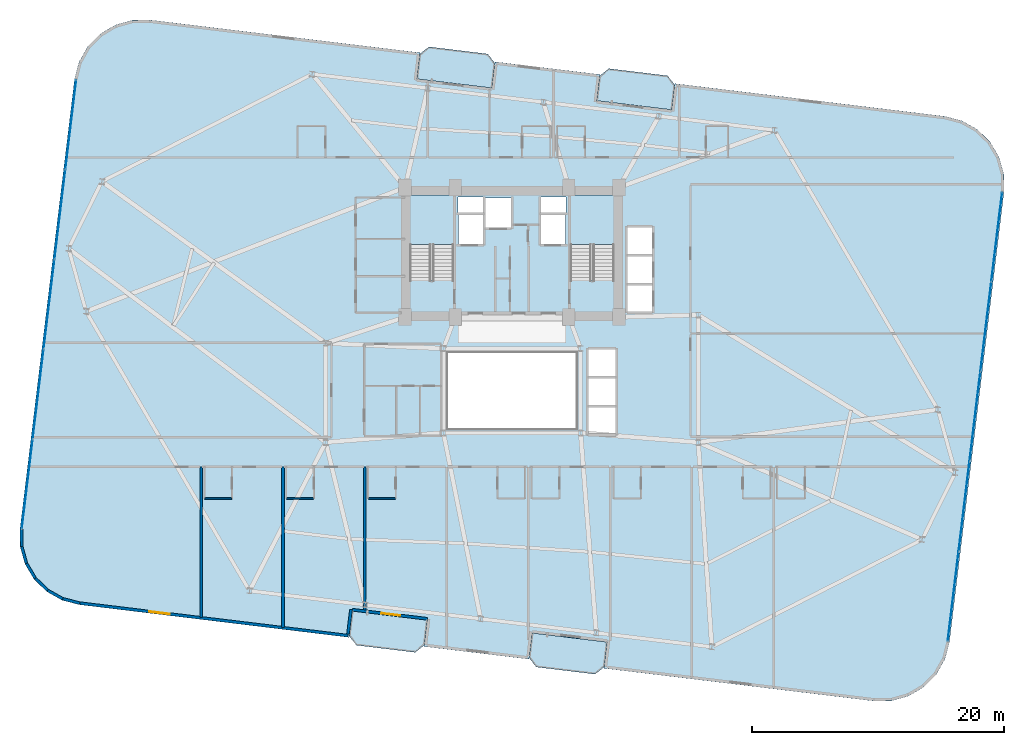
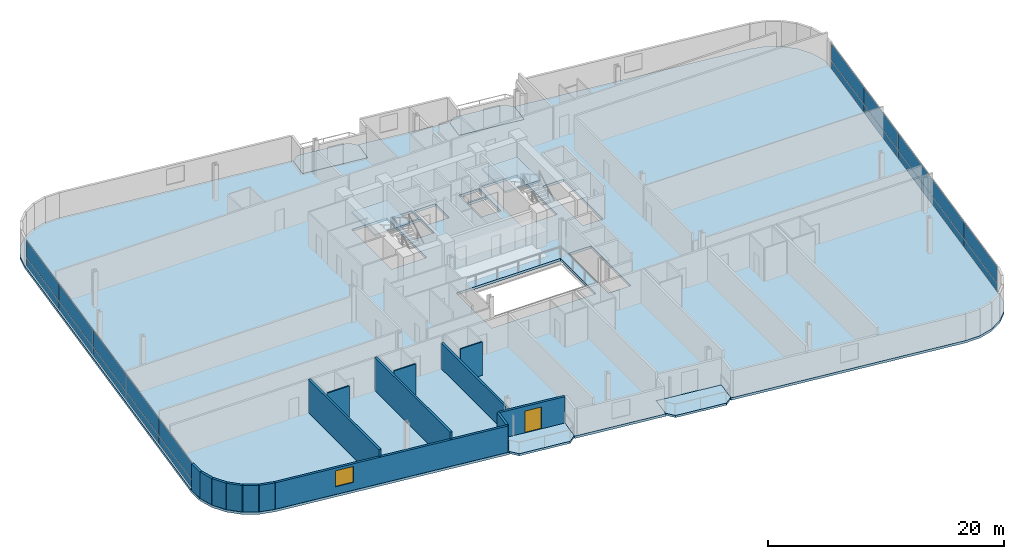
# One storey, part 19 of 26: 20 plates, 15 walls, 7 slabs, 1 door, 1 window, 2 openings, 4 elements without a shape of their own.
"""IFC4 building model written with IfcOpenShell, lengths in metres."""

from ifc_helpers import new_model, si_unit, direction, frame, frame_2d, origin, origin_2d, place, context, subcontext, project, spatial, polyline, rectangle, outline, extrude, source, transform, mapped, material, layer, layer_set, type_object, element, fill, aggregate, save


model = new_model("IFC4")

# Units and contexts
model_context = context("Model", 3, precision=1e-05, world=origin(), true_north=direction((0.0, 1.0)))
body_context = subcontext(model_context, "Body", "Model", "MODEL_VIEW")
ifc_project = project(units=[si_unit("LENGTHUNIT", "METRE"), si_unit("AREAUNIT", "SQUARE_METRE"), si_unit("VOLUMEUNIT", "CUBIC_METRE"), si_unit("PLANEANGLEUNIT", "RADIAN"), si_unit("MASSUNIT", "GRAM", prefix="KILO")], contexts=[model_context])

# Site, building, storey
site_placement = place(None, origin())
site = spatial("IfcSite", under=ifc_project, at=site_placement, CompositionType="ELEMENT")
building_placement = place(site_placement, origin())
building = spatial("IfcBuilding", under=site, at=building_placement, Name="Varnelok Gate Tower", CompositionType="ELEMENT")
storey_placement = place(building_placement, frame((0.0, 0.0, 125.39990234375)))
storey = spatial("IfcBuildingStorey", under=building, at=storey_placement, Name="L31", CompositionType="ELEMENT", Elevation=125.39990234375)

# Slabs
ifc_material_1 = material(Name="Concrete C45/55", Category="concrete")
ifc_layer_1 = layer(ifc_material_1, 0.219970703125)
ifc_layer_set_1 = layer_set([ifc_layer_1], Name="Concrete C45/55")
slab_type_1 = type_object("IfcSlabType", Name="SLB-BALC-220", PredefinedType="FLOOR", material=ifc_layer_set_1)
slab_1_placement = place(storey_placement, frame((0.0, 0.0, -0.219970703125)))
element("IfcSlab", 1, at=slab_1_placement, inside=storey, type_object=slab_type_1, Name="L31 South Hollow Balcony 1", PredefinedType="FLOOR", context=body_context, shape_type="SweptSolid", body=[
    extrude(outline(polyline([(26.27001953125, 3.39697265625), (26.837158203125, 2.67333984375), (31.5029296875, 2.107666015625), (32.2265625, 2.6748046875), (32.46728515625, 4.660400390625), (26.5107421875, 5.38232421875), (26.27001953125, 3.39697265625)])), origin(), (0.0, 0.0, 1.0), 0.219970703125),
])
slab_2_placement = place(storey_placement, frame((0.0, 0.0, -0.219970703125)))
element("IfcSlab", 2, at=slab_2_placement, inside=storey, type_object=slab_type_1, Name="L31 South Hollow Balcony 2", PredefinedType="FLOOR", context=body_context, shape_type="SweptSolid", body=[
    extrude(outline(polyline([(40.5654296875, 1.663818359375), (41.132568359375, 0.9404296875), (45.79833984375, 0.374755859375), (46.521728515625, 0.94189453125), (46.762451171875, 2.92724609375), (40.80615234375, 3.6494140625), (40.5654296875, 1.663818359375)])), origin(), (0.0, 0.0, 1.0), 0.219970703125),
])
slab_3_placement = place(storey_placement, frame((0.0, 0.0, -0.219970703125)))
element("IfcSlab", 3, at=slab_3_placement, inside=storey, type_object=slab_type_1, Name="L31 North Hollow Balcony 1", PredefinedType="FLOOR", context=body_context, shape_type="SweptSolid", body=[
    extrude(outline(polyline([(31.637451171875, 47.672607421875), (37.593994140625, 46.95068359375), (37.834716796875, 48.93603515625), (37.267578125, 49.65966796875), (32.601806640625, 50.22509765625), (31.878173828125, 49.658203125), (31.637451171875, 47.672607421875)])), origin(), (0.0, 0.0, 1.0), 0.219970703125),
])
slab_4_placement = place(storey_placement, frame((0.0, 0.0, -0.219970703125)))
element("IfcSlab", 4, at=slab_4_placement, inside=storey, type_object=slab_type_1, Name="L31 North Hollow Balcony 2", PredefinedType="FLOOR", context=body_context, shape_type="SweptSolid", body=[
    extrude(outline(polyline([(45.932861328125, 45.939697265625), (51.88916015625, 45.2177734375), (52.1298828125, 47.203125), (51.562744140625, 47.926513671875), (46.89697265625, 48.4921875), (46.173583984375, 47.92529296875), (45.932861328125, 45.939697265625)])), origin(), (0.0, 0.0, 1.0), 0.219970703125),
])

# Stair, slab
ifc_material_2 = material(Name="Concrete C50/60", Category="concrete")
stair_type = type_object("IfcStairType", Name="STR-CORE-1650", PredefinedType="HALF_TURN_STAIR", material=ifc_material_2)
stair_1_placement = place(storey_placement, origin())
stair_1 = element("IfcStair", 5, at=stair_1_placement, inside=storey, type_object=stair_type, Name="L31 Exit Stair ST-1", PredefinedType="HALF_TURN_STAIR")
ifc_layer_2 = layer(ifc_material_1, 0.199951171875)
ifc_layer_set_2 = layer_set([ifc_layer_2], Name="Concrete C45/55")
slab_type_2 = type_object("IfcSlabType", Name="SLB-LAND-200", PredefinedType="LANDING", material=ifc_layer_set_2)
slab_5_placement = place(storey_placement, frame((0.0, 0.0, 1.650146484375)))
slab_5 = element("IfcSlab", 6, at=slab_5_placement, type_object=slab_type_2, Name="ST-1 landing 1", PredefinedType="LANDING", context=body_context, shape_type="SweptSolid", body=[
    extrude(outline(polyline([(34.550048828125, 34.5), (34.550048828125, 38.449951171875), (31.10009765625, 38.449951171875), (31.10009765625, 34.5), (34.550048828125, 34.5)])), origin(), (0.0, 0.0, 1.0), 0.199951171875),
])
aggregate(stair_1, [slab_5])

stair_2_placement = place(storey_placement, origin())
stair_2 = element("IfcStair", 7, at=stair_2_placement, inside=storey, type_object=stair_type, Name="L31 Exit Stair ST-2", PredefinedType="HALF_TURN_STAIR")
slab_6_placement = place(storey_placement, frame((0.0, 0.0, 1.650146484375)))
slab_6 = element("IfcSlab", 8, at=slab_6_placement, type_object=slab_type_2, Name="ST-2 landing 1", PredefinedType="LANDING", context=body_context, shape_type="SweptSolid", body=[
    extrude(outline(polyline([(47.300048828125, 34.5), (47.300048828125, 38.449951171875), (43.85009765625, 38.449951171875), (43.85009765625, 34.5), (47.300048828125, 34.5)])), origin(), (0.0, 0.0, 1.0), 0.199951171875),
])
aggregate(stair_2, [slab_6])

# Slab
ifc_layer_3 = layer(ifc_material_2, 0.25)
ifc_layer_set_3 = layer_set([ifc_layer_3], Name="Concrete C50/60")
slab_type_3 = type_object("IfcSlabType", Name="SLB-TYP-250", PredefinedType="FLOOR", material=ifc_layer_set_3)
slab_7_placement = place(storey_placement, frame((0.0, 0.0, -0.25)))
element("IfcSlab", 9, at=slab_7_placement, inside=storey, type_object=slab_type_3, Name="L31 Structural Floor Slab", PredefinedType="FLOOR", context=body_context, shape_type="SweptSolid", body=[
    extrude(outline(polyline([(0.104248046875, 11.90771484375), (0.11865234375, 10.498046875), (0.49755859375, 9.14013671875), (1.214599609375, 7.9267578125), (2.2216796875, 6.940185546875), (3.44970703125, 6.247802734375), (4.81494140625, 5.89697265625), (16.529296875, 4.47705078125), (26.258056640625, 3.297607421875), (26.5107421875, 5.38232421875), (32.46728515625, 4.660400390625), (32.214599609375, 2.575439453125), (40.553466796875, 1.564697265625), (40.80615234375, 3.6494140625), (46.762451171875, 2.92724609375), (46.509765625, 0.842529296875), (56.238525390625, -0.3369140625), (67.952880859375, -1.7568359375), (69.3623046875, -1.742431640625), (70.72021484375, -1.363525390625), (71.933837890625, -0.646240234375), (72.92041015625, 0.360595703125), (73.612548828125, 1.588623046875), (73.96337890625, 2.9541015625), (78.2958984375, 38.6923828125), (78.281494140625, 40.101806640625), (77.902587890625, 41.459716796875), (77.185302734375, 42.67333984375), (76.17822265625, 43.659912109375), (74.9501953125, 44.35205078125), (73.5849609375, 44.702880859375), (61.87060546875, 46.123046875), (52.141845703125, 47.302490234375), (51.88916015625, 45.2177734375), (45.932861328125, 45.939697265625), (46.185546875, 48.0244140625), (37.8466796875, 49.035400390625), (37.593994140625, 46.95068359375), (31.637451171875, 47.672607421875), (31.89013671875, 49.75732421875), (22.161376953125, 50.936767578125), (10.447265625, 52.35693359375), (9.03759765625, 52.34228515625), (7.6796875, 51.963623046875), (6.46630859375, 51.246337890625), (5.479736328125, 50.2392578125), (4.787353515625, 49.01123046875), (4.4365234375, 47.64599609375), (0.104248046875, 11.90771484375)]), holes=[polyline([(34.550048828125, 31.679931640625), (34.550048828125, 38.449951171875), (31.10009765625, 38.449951171875), (31.10009765625, 31.679931640625), (34.550048828125, 31.679931640625)]), polyline([(47.300048828125, 31.679931640625), (47.300048828125, 38.449951171875), (43.85009765625, 38.449951171875), (43.85009765625, 31.679931640625), (47.300048828125, 31.679931640625)]), polyline([(34.949951171875, 34.550048828125), (36.89990234375, 34.550048828125), (36.89990234375, 36.89990234375), (34.949951171875, 36.89990234375), (34.949951171875, 34.550048828125)]), polyline([(41.5, 34.550048828125), (43.449951171875, 34.550048828125), (43.449951171875, 36.89990234375), (41.5, 36.89990234375), (41.5, 34.550048828125)]), polyline([(37.050048828125, 35.85009765625), (39.14990234375, 35.85009765625), (39.14990234375, 38.199951171875), (37.050048828125, 38.199951171875), (37.050048828125, 35.85009765625)]), polyline([(48.35009765625, 29.14990234375), (50.35009765625, 29.14990234375), (50.35009765625, 35.89990234375), (48.35009765625, 35.89990234375), (48.35009765625, 29.14990234375)]), polyline([(45.25, 19.449951171875), (47.449951171875, 19.449951171875), (47.449951171875, 26.199951171875), (45.25, 26.199951171875), (45.25, 19.449951171875)]), polyline([(34.919921875, 37.080078125), (36.89990234375, 37.080078125), (36.89990234375, 38.280029296875), (34.919921875, 38.280029296875), (34.919921875, 37.080078125)]), polyline([(41.5, 37.080078125), (43.47998046875, 37.080078125), (43.47998046875, 38.280029296875), (41.5, 38.280029296875), (41.5, 37.080078125)]), polyline([(34.10009765625, 19.89990234375), (44.300048828125, 19.89990234375), (44.300048828125, 25.89990234375), (34.10009765625, 25.89990234375), (34.10009765625, 19.89990234375)])]), origin(), (0.0, 0.0, 1.0), 0.25),
])

# Curtain wall, plates
ifc_material_3 = material(Name="Anodized Aluminum Alloy 6063-T6", Category="aluminium")
ifc_layer_4 = layer(ifc_material_3, 0.179931640625)
ifc_layer_set_4 = layer_set([ifc_layer_4], Name="Anodized Aluminum Alloy 6063-T6")
curtain_wall_type = type_object("IfcCurtainWallType", Name="CW3-HOTEL-VISION", PredefinedType="USERDEFINED", material=ifc_layer_set_4)
curtain_wall_1_placement = place(storey_placement, origin())
curtain_wall_1 = element("IfcCurtainWall", 10, at=curtain_wall_1_placement, inside=storey, type_object=curtain_wall_type, Name="L31 West End Vision Curtain Wall", ObjectType="UNITISED CURTAIN WALL", PredefinedType="USERDEFINED")
ifc_material_4 = material(Name="Low-E Laminated Double Glazing IGU", Category="glass")
ifc_layer_5 = layer(ifc_material_4, 0.031982421875)
ifc_layer_set_5 = layer_set([ifc_layer_5], Name="Low-E Laminated Double Glazing IGU")
plate_type = type_object("IfcPlateType", Name="CW-PNL-IGU32", PredefinedType="CURTAIN_PANEL", material=ifc_layer_set_5)
shared_shape_1 = source(origin(), body_context, "Body", "SweptSolid", [
    extrude(rectangle(XDim=7.1025390625, YDim=0.031982421875, at=origin_2d()), origin(), (0.0, 0.0, 1.0), 0.802490234375),
])
plate_1_placement = place(storey_placement, frame((0.67822265625, 15.480712890625, 0.06494140625), z_axis=(0.0, 0.0, 1.0), x_axis=(0.120347046212, 0.99273188146, 0.0)))
plate_1 = element("IfcPlate", 11, at=plate_1_placement, type_object=plate_type, Name="CW3 panel 1.1", PredefinedType="CURTAIN_PANEL", context=body_context, shape_type="MappedRepresentation", body=[
    mapped(shared_shape_1, transform((0.0, 0.0, 0.0), scale=1.0)),
])
plate_2_placement = place(storey_placement, frame((4.140380859375, 44.039306640625, 0.06494140625), z_axis=(0.0, 0.0, 1.0), x_axis=(0.120347046212, 0.99273188146, 0.0)))
plate_2 = element("IfcPlate", 12, at=plate_2_placement, type_object=plate_type, Name="CW3 panel 5.1", PredefinedType="CURTAIN_PANEL", context=body_context, shape_type="MappedRepresentation", body=[
    mapped(shared_shape_1, transform((0.0, 0.0, 0.0), scale=1.0)),
])

curtain_wall_2_placement = place(storey_placement, origin())
curtain_wall_2 = element("IfcCurtainWall", 13, at=curtain_wall_2_placement, inside=storey, type_object=curtain_wall_type, Name="L31 East End Vision Curtain Wall", ObjectType="UNITISED CURTAIN WALL", PredefinedType="USERDEFINED")
plate_3_placement = place(storey_placement, frame((77.7216796875, 35.119140625, 0.06494140625), z_axis=(0.0, 0.0, 1.0), x_axis=(-0.120347046212, -0.99273188146, 0.0)))
plate_3 = element("IfcPlate", 14, at=plate_3_placement, type_object=plate_type, Name="CW3 panel 1.1", PredefinedType="CURTAIN_PANEL", context=body_context, shape_type="MappedRepresentation", body=[
    mapped(shared_shape_1, transform((0.0, 0.0, 0.0), scale=1.0)),
])
plate_4_placement = place(storey_placement, frame((74.259521484375, 6.560791015625, 0.06494140625), z_axis=(0.0, 0.0, 1.0), x_axis=(-0.120347046212, -0.99273188146, 0.0)))
plate_4 = element("IfcPlate", 15, at=plate_4_placement, type_object=plate_type, Name="CW3 panel 5.1", PredefinedType="CURTAIN_PANEL", context=body_context, shape_type="MappedRepresentation", body=[
    mapped(shared_shape_1, transform((0.0, 0.0, 0.0), scale=1.0)),
])

# Plate
shared_shape_2 = source(origin(), body_context, "Body", "SweptSolid", [
    extrude(rectangle(XDim=7.1025390625, YDim=0.031982421875, at=origin_2d()), origin(), (0.0, 0.0, 1.0), 1.732421875),
])
plate_5_placement = place(storey_placement, frame((0.67822265625, 15.480712890625, 0.9326171875), z_axis=(0.0, 0.0, 1.0), x_axis=(0.120347046212, 0.99273188146, 0.0)))
plate_5 = element("IfcPlate", 16, at=plate_5_placement, type_object=plate_type, Name="CW3 panel 1.2", PredefinedType="CURTAIN_PANEL", context=body_context, shape_type="MappedRepresentation", body=[
    mapped(shared_shape_2, transform((0.0, 0.0, 0.0), scale=1.0)),
])

plate_6_placement = place(storey_placement, frame((4.140380859375, 44.039306640625, 0.9326171875), z_axis=(0.0, 0.0, 1.0), x_axis=(0.120347046212, 0.99273188146, 0.0)))
plate_6 = element("IfcPlate", 17, at=plate_6_placement, type_object=plate_type, Name="CW3 panel 5.2", PredefinedType="CURTAIN_PANEL", context=body_context, shape_type="MappedRepresentation", body=[
    mapped(shared_shape_2, transform((0.0, 0.0, 0.0), scale=1.0)),
])

plate_7_placement = place(storey_placement, frame((77.7216796875, 35.119140625, 0.9326171875), z_axis=(0.0, 0.0, 1.0), x_axis=(-0.120347046212, -0.99273188146, 0.0)))
plate_7 = element("IfcPlate", 18, at=plate_7_placement, type_object=plate_type, Name="CW3 panel 1.2", PredefinedType="CURTAIN_PANEL", context=body_context, shape_type="MappedRepresentation", body=[
    mapped(shared_shape_2, transform((0.0, 0.0, 0.0), scale=1.0)),
])

plate_8_placement = place(storey_placement, frame((74.259521484375, 6.560791015625, 0.9326171875), z_axis=(0.0, 0.0, 1.0), x_axis=(-0.120347046212, -0.99273188146, 0.0)))
plate_8 = element("IfcPlate", 19, at=plate_8_placement, type_object=plate_type, Name="CW3 panel 5.2", PredefinedType="CURTAIN_PANEL", context=body_context, shape_type="MappedRepresentation", body=[
    mapped(shared_shape_2, transform((0.0, 0.0, 0.0), scale=1.0)),
])

shared_shape_3 = source(origin(), body_context, "Body", "SweptSolid", [
    extrude(rectangle(XDim=7.135009765625, YDim=0.031982421875, at=origin_2d()), origin(), (0.0, 0.0, 1.0), 0.802490234375),
])
plate_9_placement = place(storey_placement, frame((1.54296875, 22.6123046875, 0.06494140625), z_axis=(0.0, 0.0, 1.0), x_axis=(0.120347046212, 0.99273188146, 0.0)))
plate_9 = element("IfcPlate", 20, at=plate_9_placement, type_object=plate_type, Name="CW3 panel 2.1", PredefinedType="CURTAIN_PANEL", context=body_context, shape_type="MappedRepresentation", body=[
    mapped(shared_shape_3, transform((0.0, 0.0, 0.0), scale=1.0)),
])

plate_10_placement = place(storey_placement, frame((2.409423828125, 29.760009765625, 0.06494140625), z_axis=(0.0, 0.0, 1.0), x_axis=(0.120347046212, 0.99273188146, 0.0)))
plate_10 = element("IfcPlate", 21, at=plate_10_placement, type_object=plate_type, Name="CW3 panel 3.1", PredefinedType="CURTAIN_PANEL", context=body_context, shape_type="MappedRepresentation", body=[
    mapped(shared_shape_3, transform((0.0, 0.0, 0.0), scale=1.0)),
])

plate_11_placement = place(storey_placement, frame((3.27587890625, 36.90771484375, 0.06494140625), z_axis=(0.0, 0.0, 1.0), x_axis=(0.120347046212, 0.99273188146, 0.0)))
plate_11 = element("IfcPlate", 22, at=plate_11_placement, type_object=plate_type, Name="CW3 panel 4.1", PredefinedType="CURTAIN_PANEL", context=body_context, shape_type="MappedRepresentation", body=[
    mapped(shared_shape_3, transform((0.0, 0.0, 0.0), scale=1.0)),
])

plate_12_placement = place(storey_placement, frame((76.857177734375, 27.98779296875, 0.06494140625), z_axis=(0.0, 0.0, 1.0), x_axis=(-0.120347046212, -0.99273188146, 0.0)))
plate_12 = element("IfcPlate", 23, at=plate_12_placement, type_object=plate_type, Name="CW3 panel 2.1", PredefinedType="CURTAIN_PANEL", context=body_context, shape_type="MappedRepresentation", body=[
    mapped(shared_shape_3, transform((0.0, 0.0, 0.0), scale=1.0)),
])

plate_13_placement = place(storey_placement, frame((75.99072265625, 20.840087890625, 0.06494140625), z_axis=(0.0, 0.0, 1.0), x_axis=(-0.120347046212, -0.99273188146, 0.0)))
plate_13 = element("IfcPlate", 24, at=plate_13_placement, type_object=plate_type, Name="CW3 panel 3.1", PredefinedType="CURTAIN_PANEL", context=body_context, shape_type="MappedRepresentation", body=[
    mapped(shared_shape_3, transform((0.0, 0.0, 0.0), scale=1.0)),
])

plate_14_placement = place(storey_placement, frame((75.124267578125, 13.6923828125, 0.06494140625), z_axis=(0.0, 0.0, 1.0), x_axis=(-0.120347046212, -0.99273188146, 0.0)))
plate_14 = element("IfcPlate", 25, at=plate_14_placement, type_object=plate_type, Name="CW3 panel 4.1", PredefinedType="CURTAIN_PANEL", context=body_context, shape_type="MappedRepresentation", body=[
    mapped(shared_shape_3, transform((0.0, 0.0, 0.0), scale=1.0)),
])

shared_shape_4 = source(origin(), body_context, "Body", "SweptSolid", [
    extrude(rectangle(XDim=7.135009765625, YDim=0.031982421875, at=origin_2d()), origin(), (0.0, 0.0, 1.0), 1.732421875),
])
plate_15_placement = place(storey_placement, frame((1.54296875, 22.6123046875, 0.9326171875), z_axis=(0.0, 0.0, 1.0), x_axis=(0.120347046212, 0.99273188146, 0.0)))
plate_15 = element("IfcPlate", 26, at=plate_15_placement, type_object=plate_type, Name="CW3 panel 2.2", PredefinedType="CURTAIN_PANEL", context=body_context, shape_type="MappedRepresentation", body=[
    mapped(shared_shape_4, transform((0.0, 0.0, 0.0), scale=1.0)),
])

plate_16_placement = place(storey_placement, frame((2.409423828125, 29.760009765625, 0.9326171875), z_axis=(0.0, 0.0, 1.0), x_axis=(0.120347046212, 0.99273188146, 0.0)))
plate_16 = element("IfcPlate", 27, at=plate_16_placement, type_object=plate_type, Name="CW3 panel 3.2", PredefinedType="CURTAIN_PANEL", context=body_context, shape_type="MappedRepresentation", body=[
    mapped(shared_shape_4, transform((0.0, 0.0, 0.0), scale=1.0)),
])

plate_17_placement = place(storey_placement, frame((3.27587890625, 36.90771484375, 0.9326171875), z_axis=(0.0, 0.0, 1.0), x_axis=(0.120347046212, 0.99273188146, 0.0)))
plate_17 = element("IfcPlate", 28, at=plate_17_placement, type_object=plate_type, Name="CW3 panel 4.2", PredefinedType="CURTAIN_PANEL", context=body_context, shape_type="MappedRepresentation", body=[
    mapped(shared_shape_4, transform((0.0, 0.0, 0.0), scale=1.0)),
])

aggregate(curtain_wall_1, [plate_1, plate_5, plate_9, plate_15, plate_10, plate_16, plate_11, plate_17, plate_2, plate_6])

plate_18_placement = place(storey_placement, frame((76.857177734375, 27.98779296875, 0.9326171875), z_axis=(0.0, 0.0, 1.0), x_axis=(-0.120347046212, -0.99273188146, 0.0)))
plate_18 = element("IfcPlate", 29, at=plate_18_placement, type_object=plate_type, Name="CW3 panel 2.2", PredefinedType="CURTAIN_PANEL", context=body_context, shape_type="MappedRepresentation", body=[
    mapped(shared_shape_4, transform((0.0, 0.0, 0.0), scale=1.0)),
])

plate_19_placement = place(storey_placement, frame((75.99072265625, 20.840087890625, 0.9326171875), z_axis=(0.0, 0.0, 1.0), x_axis=(-0.120347046212, -0.99273188146, 0.0)))
plate_19 = element("IfcPlate", 30, at=plate_19_placement, type_object=plate_type, Name="CW3 panel 3.2", PredefinedType="CURTAIN_PANEL", context=body_context, shape_type="MappedRepresentation", body=[
    mapped(shared_shape_4, transform((0.0, 0.0, 0.0), scale=1.0)),
])

plate_20_placement = place(storey_placement, frame((75.124267578125, 13.6923828125, 0.9326171875), z_axis=(0.0, 0.0, 1.0), x_axis=(-0.120347046212, -0.99273188146, 0.0)))
plate_20 = element("IfcPlate", 31, at=plate_20_placement, type_object=plate_type, Name="CW3 panel 4.2", PredefinedType="CURTAIN_PANEL", context=body_context, shape_type="MappedRepresentation", body=[
    mapped(shared_shape_4, transform((0.0, 0.0, 0.0), scale=1.0)),
])

aggregate(curtain_wall_2, [plate_3, plate_7, plate_12, plate_18, plate_13, plate_19, plate_14, plate_20, plate_4, plate_8])

# Wall, opening, door
ifc_layer_6 = layer(ifc_material_1, 0.219970703125)
ifc_layer_set_6 = layer_set([ifc_layer_6], Name="Concrete C45/55")
wall_type_1 = type_object("IfcWallType", Name="EW-BALC-220", PredefinedType="SOLIDWALL", material=ifc_layer_set_6)
wall_1_placement = place(storey_placement, frame((32.48046875, 4.76953125, 0.0), z_axis=(0.0, 0.0, 1.0), x_axis=(-0.992735402148, 0.120318000826, 0.0)))
wall_1 = element("IfcWall", 32, at=wall_1_placement, inside=storey, type_object=wall_type_1, Name="L31 South Terrace Envelope Wall 1", PredefinedType="SOLIDWALL", context=body_context, shape_type="SweptSolid", body=[
    extrude(rectangle(XDim=6.000244140625, YDim=0.219970703125, at=frame_2d((3.0, 0.0))), origin(), (0.0, 0.0, 1.0), 2.72998046875),
])
opening_1_placement = place(wall_1_placement, frame((2.176025390625, 0.0, 0.0)))
opening_1 = element("IfcOpeningElement", 33, at=opening_1_placement, cuts=wall_1, Name="Opening BD-1", PredefinedType="OPENING", context=body_context, shape_type="SweptSolid", body=[
    extrude(rectangle(XDim=1.5, YDim=2.25, at=frame_2d((0.75, 1.125))), frame((0.0, 0.119873046875, 0.0), z_axis=(0.0, -1.0, 0.0), x_axis=(1.0, 0.0, 0.0)), (0.0, 0.0, 1.0), 0.239990234375),
])
door_type = type_object("IfcDoorType", Name="DR-EXT-BALC1500", OperationType="NOTDEFINED", PredefinedType="DOOR", material=ifc_material_3)
door_placement = place(opening_1_placement, origin())
door = element("IfcDoor", 34, at=door_placement, inside=storey, type_object=door_type, Name="L31 South Balcony Glazed Door 1", OperationType="SINGLE_SWING_RIGHT", OverallHeight=2.25, OverallWidth=1.5, PredefinedType="DOOR", context=body_context, shape_type="SweptSolid", body=[
    extrude(rectangle(XDim=1.5, YDim=2.25, at=frame_2d((0.75, 1.125))), frame((0.0, 0.02490234375, 0.0), z_axis=(0.0, -1.0, 0.0), x_axis=(1.0, 0.0, 0.0)), (0.0, 0.0, 1.0), 0.050048828125),
])
fill(opening_1, door)

# Walls
wall_2_placement = place(storey_placement, frame((0.224365234375, 11.89306640625, 0.0), z_axis=(0.0, 0.0, 1.0), x_axis=(0.010098705419, -0.999949006774, 0.0)))
element("IfcWall", 35, at=wall_2_placement, inside=storey, type_object=wall_type_1, Name="L31 Perimeter Facade Closure Wall 1", PredefinedType="SOLIDWALL", context=body_context, shape_type="SweptSolid", body=[
    extrude(rectangle(XDim=1.3779296875, YDim=0.219970703125, at=frame_2d((0.68896484375, 0.0))), origin(), (0.0, 0.0, 1.0), 2.72998046875),
])
wall_3_placement = place(storey_placement, frame((0.2451171875, 10.490966796875, 0.0), z_axis=(0.0, 0.0, 1.0), x_axis=(0.268853470153, -0.963181089716, 0.0)))
element("IfcWall", 36, at=wall_3_placement, inside=storey, type_object=wall_type_1, Name="L31 Perimeter Facade Closure Wall 2", PredefinedType="SOLIDWALL", context=body_context, shape_type="SweptSolid", body=[
    extrude(rectangle(XDim=1.35302734375, YDim=0.219970703125, at=frame_2d((0.676513671875, 0.0))), origin(), (0.0, 0.0, 1.0), 2.72998046875),
])
wall_4_placement = place(storey_placement, frame((0.62158203125, 9.166015625, 0.0), z_axis=(0.0, 0.0, 1.0), x_axis=(0.508911700393, -0.860818727261, 0.0)))
element("IfcWall", 37, at=wall_4_placement, inside=storey, type_object=wall_type_1, Name="L31 Perimeter Facade Closure Wall 3", PredefinedType="SOLIDWALL", context=body_context, shape_type="SweptSolid", body=[
    extrude(rectangle(XDim=1.352783203125, YDim=0.219970703125, at=frame_2d((0.67626953125, 0.0))), origin(), (0.0, 0.0, 1.0), 2.72998046875),
])
wall_5_placement = place(storey_placement, frame((1.327880859375, 7.98388671875, 0.0), z_axis=(0.0, 0.0, 1.0), x_axis=(0.714376989847, -0.69976104234, 0.0)))
element("IfcWall", 38, at=wall_5_placement, inside=storey, type_object=wall_type_1, Name="L31 Perimeter Facade Closure Wall 4", PredefinedType="SOLIDWALL", context=body_context, shape_type="SweptSolid", body=[
    extrude(rectangle(XDim=1.35302734375, YDim=0.219970703125, at=frame_2d((0.676513671875, 0.0))), origin(), (0.0, 0.0, 1.0), 2.72998046875),
])
wall_6_placement = place(storey_placement, frame((2.316162109375, 7.024658203125, 0.0), z_axis=(0.0, 0.0, 1.0), x_axis=(0.87113677592, -0.491040443996, 0.0)))
element("IfcWall", 39, at=wall_6_placement, inside=storey, type_object=wall_type_1, Name="L31 Perimeter Facade Closure Wall 5", PredefinedType="SOLIDWALL", context=body_context, shape_type="SweptSolid", body=[
    extrude(rectangle(XDim=1.353271484375, YDim=0.219970703125, at=frame_2d((0.6767578125, 0.0))), origin(), (0.0, 0.0, 1.0), 2.72998046875),
])
wall_7_placement = place(storey_placement, frame((3.519287109375, 6.35400390625, 0.0), z_axis=(0.0, 0.0, 1.0), x_axis=(0.968506529347, -0.248988157573, 0.0)))
element("IfcWall", 40, at=wall_7_placement, inside=storey, type_object=wall_type_1, Name="L31 Perimeter Facade Closure Wall 6", PredefinedType="SOLIDWALL", context=body_context, shape_type="SweptSolid", body=[
    extrude(rectangle(XDim=1.361083984375, YDim=0.219970703125, at=frame_2d((0.6806640625, 0.0))), origin(), (0.0, 0.0, 1.0), 2.72998046875),
])

# Wall, opening, window
wall_8_placement = place(storey_placement, frame((4.862060546875, 6.01220703125, 0.0), z_axis=(0.0, 0.0, 1.0), x_axis=(0.99273213367, -0.120344965739, 0.0)))
wall_8 = element("IfcWall", 41, at=wall_8_placement, inside=storey, type_object=wall_type_1, Name="L31 Perimeter Facade Closure Wall 7", PredefinedType="SOLIDWALL", context=body_context, shape_type="SweptSolid", body=[
    extrude(rectangle(XDim=21.447021484375, YDim=0.219970703125, at=frame_2d((10.7236328125, 0.0))), origin(), (0.0, 0.0, 1.0), 2.72998046875),
])
opening_2_placement = place(wall_8_placement, frame((5.543212890625, 0.0, 0.800048828125)))
opening_2 = element("IfcOpeningElement", 42, at=opening_2_placement, cuts=wall_8, Name="Opening WN3", PredefinedType="OPENING", context=body_context, shape_type="SweptSolid", body=[
    extrude(rectangle(XDim=1.64990234375, YDim=1.64990234375, at=frame_2d((0.824951171875, 0.824951171875))), frame((0.0, 0.119873046875, 0.0), z_axis=(0.0, -1.0, 0.0), x_axis=(1.0, 0.0, 0.0)), (0.0, 0.0, 1.0), 0.239990234375),
])
window_type = type_object("IfcWindowType", Name="WN-HTL-1650", PartitioningType="SINGLE_PANEL", PredefinedType="WINDOW", material=ifc_material_4)
window_placement = place(opening_2_placement, origin())
window = element("IfcWindow", 43, at=window_placement, inside=storey, type_object=window_type, Name="L31 Perimeter Vision Window 7", OverallHeight=1.64990234375, OverallWidth=1.64990234375, PartitioningType="SINGLE_PANEL", PredefinedType="WINDOW", context=body_context, shape_type="SweptSolid", body=[
    extrude(rectangle(XDim=1.64990234375, YDim=1.64990234375, at=frame_2d((0.824951171875, 0.824951171875))), frame((0.0, 0.030029296875, 0.0), z_axis=(0.0, -1.0, 0.0), x_axis=(1.0, 0.0, 0.0)), (0.0, 0.0, 1.0), 0.06005859375),
])
fill(opening_2, window)

# Walls
wall_9_placement = place(storey_placement, frame((26.16845703125, 3.555419921875, 0.0), z_axis=(0.0, 0.0, 1.0), x_axis=(0.120290754542, 0.992738703976, 0.0)))
element("IfcWall", 44, at=wall_9_placement, inside=storey, type_object=wall_type_1, Name="L31 Perimeter Facade Closure Wall 8", PredefinedType="SOLIDWALL", context=body_context, shape_type="SweptSolid", body=[
    extrude(rectangle(XDim=1.974853515625, YDim=0.219970703125, at=frame_2d((0.9873046875, 0.0))), origin(), (0.0, 0.0, 1.0), 2.72998046875),
])
ifc_material_5 = material(Name="Gypsum Plasterboard Acoustic Partition", Category="gypsum")
ifc_layer_7 = layer(ifc_material_5, 0.114990234375)
ifc_layer_set_7 = layer_set([ifc_layer_7], Name="Gypsum Plasterboard Acoustic Partition")
wall_type_2 = type_object("IfcWallType", Name="PW-ENS-125", PredefinedType="PARTITIONING", material=ifc_layer_set_7)
for number, where, z_axis, x_axis, name in (
    (45, (14.800048828125, 14.330078125, 0.0), (0.0, 0.0, 1.0), (1.0, 0.0, 0.0), "Interior Partition"),
    (46, (21.300048828125, 14.330078125, 0.0), (0.0, 0.0, 1.0), (1.0, 0.0, 0.0), "Interior Partition"),
    (47, (27.800048828125, 14.330078125, 0.0), (0.0, 0.0, 1.0), (1.0, 0.0, 0.0), "Interior Partition"),
):
    element("IfcWall", number, at=place(storey_placement, frame(where, z_axis=z_axis, x_axis=x_axis)), inside=storey, type_object=wall_type_2, Name=name, PredefinedType="PARTITIONING", context=body_context, shape_type="SweptSolid", body=[
        extrude(rectangle(XDim=2.1240234375, YDim=0.114990234375, at=frame_2d((1.06201171875, 0.0))), origin(), (0.0, 0.0, 1.0), 3.4501953125),
    ])
ifc_layer_8 = layer(ifc_material_5, 0.205078125)
ifc_layer_set_8 = layer_set([ifc_layer_8], Name="Gypsum Plasterboard Acoustic Partition")
wall_type_3 = type_object("IfcWallType", Name="PW-PARTY-200", PredefinedType="PARTITIONING", material=ifc_layer_set_8)
wall_10_placement = place(storey_placement, frame((14.5, 4.864013671875, 0.0), z_axis=(0.0, 0.0, 1.0), x_axis=(0.0, 1.0, 0.0)))
element("IfcWall", 48, at=wall_10_placement, inside=storey, type_object=wall_type_3, Name="L31 South Party Wall 1", PredefinedType="PARTITIONING", context=body_context, shape_type="SweptSolid", body=[
    extrude(rectangle(XDim=11.986083984375, YDim=0.205078125, at=frame_2d((5.9931640625, 0.0))), origin(), (0.0, 0.0, 1.0), 3.4501953125),
])
wall_11_placement = place(storey_placement, frame((21.0, 4.076171875, 0.0), z_axis=(0.0, 0.0, 1.0), x_axis=(0.0, 1.0, 0.0)))
element("IfcWall", 49, at=wall_11_placement, inside=storey, type_object=wall_type_3, Name="L31 South Party Wall 2", PredefinedType="PARTITIONING", context=body_context, shape_type="SweptSolid", body=[
    extrude(rectangle(XDim=12.77392578125, YDim=0.205078125, at=frame_2d((6.386962890625, 0.0))), origin(), (0.0, 0.0, 1.0), 3.4501953125),
])
wall_12_placement = place(storey_placement, frame((27.5, 5.4033203125, 0.0), z_axis=(0.0, 0.0, 1.0), x_axis=(0.0, 1.0, 0.0)))
element("IfcWall", 50, at=wall_12_placement, inside=storey, type_object=wall_type_3, Name="L31 South Party Wall 3", PredefinedType="PARTITIONING", context=body_context, shape_type="SweptSolid", body=[
    extrude(rectangle(XDim=11.44677734375, YDim=0.205078125, at=frame_2d((5.723388671875, 0.0))), origin(), (0.0, 0.0, 1.0), 2.662109375),
])

save(model, "model.ifc")
